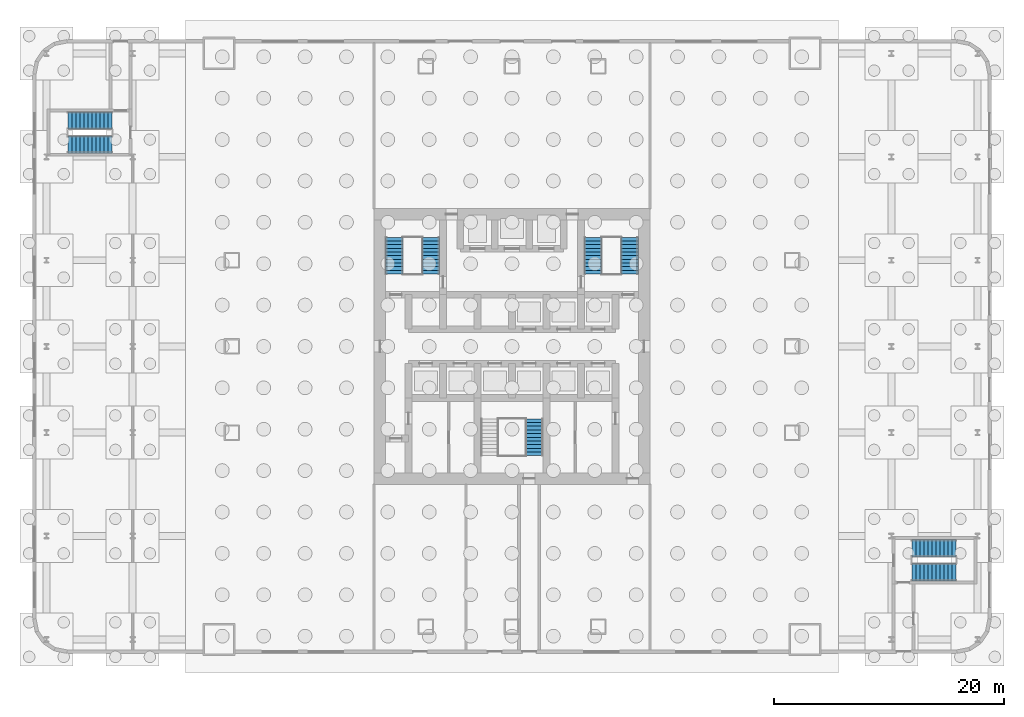
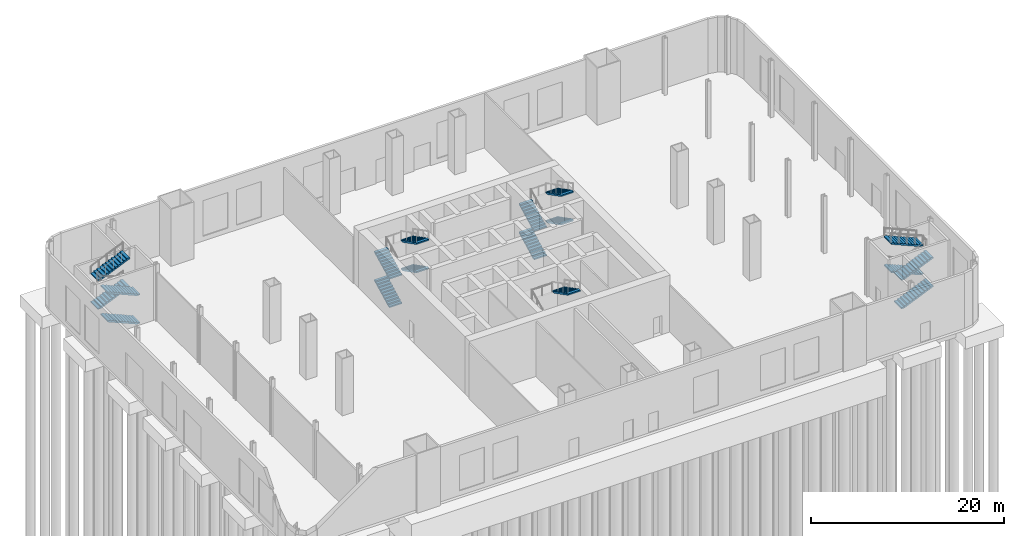
# One storey, part 7 of 10: 17 stair flights, 5 elements without a shape of their own.
"""IFC4 building model written with IfcOpenShell, lengths in metres."""

from ifc_helpers import new_model, si_unit, direction, frame, origin, place, context, subcontext, project, spatial, polyline, outline, extrude, material, type_object, element, aggregate, save


model = new_model("IFC4")

# Units and contexts
model_context = context("Model", 3, precision=1e-05, world=origin(), true_north=direction((0.0, 1.0)))
body_context = subcontext(model_context, "Body", "Model", "MODEL_VIEW")
ifc_project = project(units=[si_unit("LENGTHUNIT", "METRE"), si_unit("AREAUNIT", "SQUARE_METRE"), si_unit("VOLUMEUNIT", "CUBIC_METRE"), si_unit("PLANEANGLEUNIT", "RADIAN"), si_unit("MASSUNIT", "GRAM", prefix="KILO")], contexts=[model_context])

# Site, building, storey
site_placement = place(None, origin())
site = spatial("IfcSite", under=ifc_project, at=site_placement, CompositionType="ELEMENT")
building_placement = place(site_placement, origin())
building = spatial("IfcBuilding", under=site, at=building_placement, Name="Tarangal Relay Tower", CompositionType="ELEMENT")
storey_placement = place(building_placement, origin())
storey = spatial("IfcBuildingStorey", under=building, at=storey_placement, Name="L00", CompositionType="ELEMENT", Elevation=0.0)

# Stair, stair flights
ifc_material = material(Name="Steel ASTM A992 stair flight", Category="steel")
stair_type_1 = type_object("IfcStairType", Name="Core stair 1500", PredefinedType="HALF_TURN_STAIR", material=ifc_material)
stair_1_placement = place(storey_placement, origin())
stair_1 = element("IfcStair", 1, at=stair_1_placement, inside=storey, type_object=stair_type_1, Name="Stair ST-A L00", PredefinedType="HALF_TURN_STAIR")
stair_flight_type_1 = type_object("IfcStairFlightType", Name="Steel stair flight 1500, 11 risers 164 x 320", PredefinedType="STRAIGHT", material=ifc_material)
stair_flight_1_placement = place(storey_placement, frame((-10.25, 6.300048828125, 0.0), z_axis=(0.0, 0.0, 1.0), x_axis=(0.0, 1.0, 0.0)))
stair_flight_1 = element("IfcStairFlight", 2, at=stair_flight_1_placement, type_object=stair_flight_type_1, Name="ST-A flight 1", NumberOfRisers=11, NumberOfTreads=10, PredefinedType="STRAIGHT", RiserHeight=0.163636364, TreadLength=0.32, context=body_context, shape_type="SweptSolid", body=[
    extrude(outline(polyline([(0.0, 0.0), (0.0, 0.16357421875), (0.320068359375, 0.16357421875), (0.320068359375, 0.327392578125), (0.639892578125, 0.327392578125), (0.639892578125, 0.490966796875), (0.9599609375, 0.490966796875), (0.9599609375, 0.654541015625), (1.280029296875, 0.654541015625), (1.280029296875, 0.818115234375), (1.60009765625, 0.818115234375), (1.60009765625, 0.98193359375), (1.919921875, 0.98193359375), (1.919921875, 1.1455078125), (2.239990234375, 1.1455078125), (2.239990234375, 1.30908203125), (2.56005859375, 1.30908203125), (2.56005859375, 1.47265625), (2.8798828125, 1.47265625), (2.8798828125, 1.636474609375), (3.199951171875, 1.636474609375), (3.199951171875, 1.800048828125), (3.199951171875, 1.468017578125), (0.329345703125, 0.0), (0.0, 0.0)])), frame((0.0, 0.75, 0.0), z_axis=(0.0, -1.0, 0.0), x_axis=(1.0, 0.0, 0.0)), (0.0, 0.0, 1.0), 1.5),
])
stair_flight_2_placement = place(storey_placement, frame((-7.050048828125, 9.5, 1.800048828125), z_axis=(0.0, 0.0, 1.0), x_axis=(0.0, -1.0, 0.0)))
stair_flight_2 = element("IfcStairFlight", 3, at=stair_flight_2_placement, type_object=stair_flight_type_1, Name="ST-A flight 2", NumberOfRisers=11, NumberOfTreads=10, PredefinedType="STRAIGHT", RiserHeight=0.163636364, TreadLength=0.32, context=body_context, shape_type="SweptSolid", body=[
    extrude(outline(polyline([(0.0, 0.0), (0.0, 0.16357421875), (0.320068359375, 0.16357421875), (0.320068359375, 0.327392578125), (0.639892578125, 0.327392578125), (0.639892578125, 0.490966796875), (0.9599609375, 0.490966796875), (0.9599609375, 0.654541015625), (1.280029296875, 0.654541015625), (1.280029296875, 0.818115234375), (1.60009765625, 0.818115234375), (1.60009765625, 0.98193359375), (1.919921875, 0.98193359375), (1.919921875, 1.1455078125), (2.239990234375, 1.1455078125), (2.239990234375, 1.30908203125), (2.56005859375, 1.30908203125), (2.56005859375, 1.47265625), (2.8798828125, 1.47265625), (2.8798828125, 1.636474609375), (3.199951171875, 1.636474609375), (3.199951171875, 1.800048828125), (3.199951171875, 1.468017578125), (0.329345703125, 0.0), (0.0, 0.0)])), frame((0.0, 0.75, 0.0), z_axis=(0.0, -1.0, 0.0), x_axis=(1.0, 0.0, 0.0)), (0.0, 0.0, 1.0), 1.5),
])
stair_flight_3_placement = place(storey_placement, frame((-10.25, 6.300048828125, 3.60009765625), z_axis=(0.0, 0.0, 1.0), x_axis=(0.0, 1.0, 0.0)))
stair_flight_3 = element("IfcStairFlight", 4, at=stair_flight_3_placement, type_object=stair_flight_type_1, Name="ST-A flight 3", NumberOfRisers=11, NumberOfTreads=10, PredefinedType="STRAIGHT", RiserHeight=0.163636364, TreadLength=0.32, context=body_context, shape_type="SweptSolid", body=[
    extrude(outline(polyline([(0.0, 0.0), (0.0, 0.16357421875), (0.320068359375, 0.16357421875), (0.320068359375, 0.327392578125), (0.639892578125, 0.327392578125), (0.639892578125, 0.490966796875), (0.9599609375, 0.490966796875), (0.9599609375, 0.654541015625), (1.280029296875, 0.654541015625), (1.280029296875, 0.818115234375), (1.60009765625, 0.818115234375), (1.60009765625, 0.98193359375), (1.919921875, 0.98193359375), (1.919921875, 1.1455078125), (2.239990234375, 1.1455078125), (2.239990234375, 1.30908203125), (2.56005859375, 1.30908203125), (2.56005859375, 1.47265625), (2.8798828125, 1.47265625), (2.8798828125, 1.636474609375), (3.199951171875, 1.636474609375), (3.199951171875, 1.800048828125), (3.199951171875, 1.468017578125), (0.329345703125, 0.0), (0.0, 0.0)])), frame((0.0, 0.75, 0.0), z_axis=(0.0, -1.0, 0.0), x_axis=(1.0, 0.0, 0.0)), (0.0, 0.0, 1.0), 1.5),
])
stair_flight_4_placement = place(storey_placement, frame((-7.050048828125, 9.5, 5.39990234375), z_axis=(0.0, 0.0, 1.0), x_axis=(0.0, -1.0, 0.0)))
stair_flight_4 = element("IfcStairFlight", 5, at=stair_flight_4_placement, type_object=stair_flight_type_1, Name="ST-A flight 4", NumberOfRisers=11, NumberOfTreads=10, PredefinedType="STRAIGHT", RiserHeight=0.163636364, TreadLength=0.32, context=body_context, shape_type="SweptSolid", body=[
    extrude(outline(polyline([(0.0, 0.0), (0.0, 0.16357421875), (0.320068359375, 0.16357421875), (0.320068359375, 0.327392578125), (0.639892578125, 0.327392578125), (0.639892578125, 0.490966796875), (0.9599609375, 0.490966796875), (0.9599609375, 0.654541015625), (1.280029296875, 0.654541015625), (1.280029296875, 0.818115234375), (1.60009765625, 0.818115234375), (1.60009765625, 0.98193359375), (1.919921875, 0.98193359375), (1.919921875, 1.1455078125), (2.239990234375, 1.1455078125), (2.239990234375, 1.30908203125), (2.56005859375, 1.30908203125), (2.56005859375, 1.47265625), (2.8798828125, 1.47265625), (2.8798828125, 1.636474609375), (3.199951171875, 1.636474609375), (3.199951171875, 1.800048828125), (3.199951171875, 1.468017578125), (0.329345703125, 0.0), (0.0, 0.0)])), frame((0.0, 0.75, 0.0), z_axis=(0.0, -1.0, 0.0), x_axis=(1.0, 0.0, 0.0)), (0.0, 0.0, 1.0), 1.5),
])
aggregate(stair_1, [stair_flight_1, stair_flight_2, stair_flight_3, stair_flight_4])

stair_2_placement = place(storey_placement, origin())
stair_2 = element("IfcStair", 6, at=stair_2_placement, inside=storey, type_object=stair_type_1, Name="Stair ST-B L00", PredefinedType="HALF_TURN_STAIR")
stair_flight_5_placement = place(storey_placement, frame((7.050048828125, 6.300048828125, 0.0), z_axis=(0.0, 0.0, 1.0), x_axis=(0.0, 1.0, 0.0)))
stair_flight_5 = element("IfcStairFlight", 7, at=stair_flight_5_placement, type_object=stair_flight_type_1, Name="ST-B flight 1", NumberOfRisers=11, NumberOfTreads=10, PredefinedType="STRAIGHT", RiserHeight=0.163636364, TreadLength=0.32, context=body_context, shape_type="SweptSolid", body=[
    extrude(outline(polyline([(0.0, 0.0), (0.0, 0.16357421875), (0.320068359375, 0.16357421875), (0.320068359375, 0.327392578125), (0.639892578125, 0.327392578125), (0.639892578125, 0.490966796875), (0.9599609375, 0.490966796875), (0.9599609375, 0.654541015625), (1.280029296875, 0.654541015625), (1.280029296875, 0.818115234375), (1.60009765625, 0.818115234375), (1.60009765625, 0.98193359375), (1.919921875, 0.98193359375), (1.919921875, 1.1455078125), (2.239990234375, 1.1455078125), (2.239990234375, 1.30908203125), (2.56005859375, 1.30908203125), (2.56005859375, 1.47265625), (2.8798828125, 1.47265625), (2.8798828125, 1.636474609375), (3.199951171875, 1.636474609375), (3.199951171875, 1.800048828125), (3.199951171875, 1.468017578125), (0.329345703125, 0.0), (0.0, 0.0)])), frame((0.0, 0.75, 0.0), z_axis=(0.0, -1.0, 0.0), x_axis=(1.0, 0.0, 0.0)), (0.0, 0.0, 1.0), 1.5),
])
stair_flight_6_placement = place(storey_placement, frame((10.25, 9.5, 1.800048828125), z_axis=(0.0, 0.0, 1.0), x_axis=(0.0, -1.0, 0.0)))
stair_flight_6 = element("IfcStairFlight", 8, at=stair_flight_6_placement, type_object=stair_flight_type_1, Name="ST-B flight 2", NumberOfRisers=11, NumberOfTreads=10, PredefinedType="STRAIGHT", RiserHeight=0.163636364, TreadLength=0.32, context=body_context, shape_type="SweptSolid", body=[
    extrude(outline(polyline([(0.0, 0.0), (0.0, 0.16357421875), (0.320068359375, 0.16357421875), (0.320068359375, 0.327392578125), (0.639892578125, 0.327392578125), (0.639892578125, 0.490966796875), (0.9599609375, 0.490966796875), (0.9599609375, 0.654541015625), (1.280029296875, 0.654541015625), (1.280029296875, 0.818115234375), (1.60009765625, 0.818115234375), (1.60009765625, 0.98193359375), (1.919921875, 0.98193359375), (1.919921875, 1.1455078125), (2.239990234375, 1.1455078125), (2.239990234375, 1.30908203125), (2.56005859375, 1.30908203125), (2.56005859375, 1.47265625), (2.8798828125, 1.47265625), (2.8798828125, 1.636474609375), (3.199951171875, 1.636474609375), (3.199951171875, 1.800048828125), (3.199951171875, 1.468017578125), (0.329345703125, 0.0), (0.0, 0.0)])), frame((0.0, 0.75, 0.0), z_axis=(0.0, -1.0, 0.0), x_axis=(1.0, 0.0, 0.0)), (0.0, 0.0, 1.0), 1.5),
])
stair_flight_7_placement = place(storey_placement, frame((7.050048828125, 6.300048828125, 3.60009765625), z_axis=(0.0, 0.0, 1.0), x_axis=(0.0, 1.0, 0.0)))
stair_flight_7 = element("IfcStairFlight", 9, at=stair_flight_7_placement, type_object=stair_flight_type_1, Name="ST-B flight 3", NumberOfRisers=11, NumberOfTreads=10, PredefinedType="STRAIGHT", RiserHeight=0.163636364, TreadLength=0.32, context=body_context, shape_type="SweptSolid", body=[
    extrude(outline(polyline([(0.0, 0.0), (0.0, 0.16357421875), (0.320068359375, 0.16357421875), (0.320068359375, 0.327392578125), (0.639892578125, 0.327392578125), (0.639892578125, 0.490966796875), (0.9599609375, 0.490966796875), (0.9599609375, 0.654541015625), (1.280029296875, 0.654541015625), (1.280029296875, 0.818115234375), (1.60009765625, 0.818115234375), (1.60009765625, 0.98193359375), (1.919921875, 0.98193359375), (1.919921875, 1.1455078125), (2.239990234375, 1.1455078125), (2.239990234375, 1.30908203125), (2.56005859375, 1.30908203125), (2.56005859375, 1.47265625), (2.8798828125, 1.47265625), (2.8798828125, 1.636474609375), (3.199951171875, 1.636474609375), (3.199951171875, 1.800048828125), (3.199951171875, 1.468017578125), (0.329345703125, 0.0), (0.0, 0.0)])), frame((0.0, 0.75, 0.0), z_axis=(0.0, -1.0, 0.0), x_axis=(1.0, 0.0, 0.0)), (0.0, 0.0, 1.0), 1.5),
])
stair_flight_8_placement = place(storey_placement, frame((10.25, 9.5, 5.39990234375), z_axis=(0.0, 0.0, 1.0), x_axis=(0.0, -1.0, 0.0)))
stair_flight_8 = element("IfcStairFlight", 10, at=stair_flight_8_placement, type_object=stair_flight_type_1, Name="ST-B flight 4", NumberOfRisers=11, NumberOfTreads=10, PredefinedType="STRAIGHT", RiserHeight=0.163636364, TreadLength=0.32, context=body_context, shape_type="SweptSolid", body=[
    extrude(outline(polyline([(0.0, 0.0), (0.0, 0.16357421875), (0.320068359375, 0.16357421875), (0.320068359375, 0.327392578125), (0.639892578125, 0.327392578125), (0.639892578125, 0.490966796875), (0.9599609375, 0.490966796875), (0.9599609375, 0.654541015625), (1.280029296875, 0.654541015625), (1.280029296875, 0.818115234375), (1.60009765625, 0.818115234375), (1.60009765625, 0.98193359375), (1.919921875, 0.98193359375), (1.919921875, 1.1455078125), (2.239990234375, 1.1455078125), (2.239990234375, 1.30908203125), (2.56005859375, 1.30908203125), (2.56005859375, 1.47265625), (2.8798828125, 1.47265625), (2.8798828125, 1.636474609375), (3.199951171875, 1.636474609375), (3.199951171875, 1.800048828125), (3.199951171875, 1.468017578125), (0.329345703125, 0.0), (0.0, 0.0)])), frame((0.0, 0.75, 0.0), z_axis=(0.0, -1.0, 0.0), x_axis=(1.0, 0.0, 0.0)), (0.0, 0.0, 1.0), 1.5),
])
aggregate(stair_2, [stair_flight_5, stair_flight_6, stair_flight_7, stair_flight_8])

# Stair, stair flight
stair_3_placement = place(storey_placement, origin())
stair_3 = element("IfcStair", 11, at=stair_3_placement, inside=storey, type_object=stair_type_1, Name="Stair ST-C L00", PredefinedType="HALF_TURN_STAIR")
stair_flight_9_placement = place(storey_placement, frame((1.949951171875, -6.300048828125, 5.39990234375), z_axis=(0.0, 0.0, 1.0), x_axis=(0.0, -1.0, 0.0)))
stair_flight_9 = element("IfcStairFlight", 12, at=stair_flight_9_placement, type_object=stair_flight_type_1, Name="ST-C flight 4", NumberOfRisers=11, NumberOfTreads=10, PredefinedType="STRAIGHT", RiserHeight=0.163636364, TreadLength=0.32, context=body_context, shape_type="SweptSolid", body=[
    extrude(outline(polyline([(0.0, 0.0), (0.0, 0.16357421875), (0.320068359375, 0.16357421875), (0.320068359375, 0.327392578125), (0.639892578125, 0.327392578125), (0.639892578125, 0.490966796875), (0.9599609375, 0.490966796875), (0.9599609375, 0.654541015625), (1.280029296875, 0.654541015625), (1.280029296875, 0.818115234375), (1.60009765625, 0.818115234375), (1.60009765625, 0.98193359375), (1.919921875, 0.98193359375), (1.919921875, 1.1455078125), (2.239990234375, 1.1455078125), (2.239990234375, 1.30908203125), (2.56005859375, 1.30908203125), (2.56005859375, 1.47265625), (2.8798828125, 1.47265625), (2.8798828125, 1.636474609375), (3.199951171875, 1.636474609375), (3.199951171875, 1.800048828125), (3.199951171875, 1.468017578125), (0.329345703125, 0.0), (0.0, 0.0)])), frame((0.0, 0.75, 0.0), z_axis=(0.0, -1.0, 0.0), x_axis=(1.0, 0.0, 0.0)), (0.0, 0.0, 1.0), 1.5),
])
aggregate(stair_3, [stair_flight_9])

# Stair, stair flights
stair_type_2 = type_object("IfcStairType", Name="Podium stair 1500", PredefinedType="HALF_TURN_STAIR", material=ifc_material)
stair_4_placement = place(storey_placement, origin())
stair_4 = element("IfcStair", 13, at=stair_4_placement, inside=storey, type_object=stair_type_2, Name="Stair ST-D L00", PredefinedType="HALF_TURN_STAIR")
stair_flight_type_2 = type_object("IfcStairFlightType", Name="Steel stair flight 1500, 12 risers 150 x 348", PredefinedType="STRAIGHT", material=ifc_material)
stair_flight_10_placement = place(storey_placement, frame((-34.800048828125, 17.550048828125, 0.0), z_axis=(0.0, 0.0, 1.0), x_axis=(-1.0, 0.0, 0.0)))
stair_flight_10 = element("IfcStairFlight", 14, at=stair_flight_10_placement, type_object=stair_flight_type_2, Name="ST-D flight 1", NumberOfRisers=12, NumberOfTreads=11, PredefinedType="STRAIGHT", RiserHeight=0.15, TreadLength=0.348, context=body_context, shape_type="SweptSolid", body=[
    extrude(outline(polyline([(0.0, 0.0), (0.0, 0.14990234375), (0.347900390625, 0.14990234375), (0.347900390625, 0.300048828125), (0.696044921875, 0.300048828125), (0.696044921875, 0.449951171875), (1.0439453125, 0.449951171875), (1.0439453125, 0.60009765625), (1.39208984375, 0.60009765625), (1.39208984375, 0.75), (1.739990234375, 0.75), (1.739990234375, 0.89990234375), (2.087890625, 0.89990234375), (2.087890625, 1.050048828125), (2.43603515625, 1.050048828125), (2.43603515625, 1.199951171875), (2.783935546875, 1.199951171875), (2.783935546875, 1.35009765625), (3.132080078125, 1.35009765625), (3.132080078125, 1.5), (3.47998046875, 1.5), (3.47998046875, 1.64990234375), (3.827880859375, 1.64990234375), (3.827880859375, 1.800048828125), (3.827880859375, 1.48681640625), (0.378662109375, 0.0), (0.0, 0.0)])), frame((0.0, 0.75, 0.0), z_axis=(0.0, -1.0, 0.0), x_axis=(1.0, 0.0, 0.0)), (0.0, 0.0, 1.0), 1.5),
])
stair_flight_11_placement = place(storey_placement, frame((-38.6279296875, 19.64990234375, 1.800048828125), z_axis=(0.0, 0.0, 1.0), x_axis=(1.0, 0.0, 0.0)))
stair_flight_11 = element("IfcStairFlight", 15, at=stair_flight_11_placement, type_object=stair_flight_type_2, Name="ST-D flight 2", NumberOfRisers=12, NumberOfTreads=11, PredefinedType="STRAIGHT", RiserHeight=0.15, TreadLength=0.348, context=body_context, shape_type="SweptSolid", body=[
    extrude(outline(polyline([(0.0, 0.0), (0.0, 0.14990234375), (0.347900390625, 0.14990234375), (0.347900390625, 0.300048828125), (0.696044921875, 0.300048828125), (0.696044921875, 0.449951171875), (1.0439453125, 0.449951171875), (1.0439453125, 0.60009765625), (1.39208984375, 0.60009765625), (1.39208984375, 0.75), (1.739990234375, 0.75), (1.739990234375, 0.89990234375), (2.087890625, 0.89990234375), (2.087890625, 1.050048828125), (2.43603515625, 1.050048828125), (2.43603515625, 1.199951171875), (2.783935546875, 1.199951171875), (2.783935546875, 1.35009765625), (3.132080078125, 1.35009765625), (3.132080078125, 1.5), (3.47998046875, 1.5), (3.47998046875, 1.64990234375), (3.827880859375, 1.64990234375), (3.827880859375, 1.800048828125), (3.827880859375, 1.48681640625), (0.378662109375, 0.0), (0.0, 0.0)])), frame((0.0, 0.75, 0.0), z_axis=(0.0, -1.0, 0.0), x_axis=(1.0, 0.0, 0.0)), (0.0, 0.0, 1.0), 1.5),
])
stair_flight_12_placement = place(storey_placement, frame((-34.800048828125, 17.550048828125, 3.60009765625), z_axis=(0.0, 0.0, 1.0), x_axis=(-1.0, 0.0, 0.0)))
stair_flight_12 = element("IfcStairFlight", 16, at=stair_flight_12_placement, type_object=stair_flight_type_2, Name="ST-D flight 3", NumberOfRisers=12, NumberOfTreads=11, PredefinedType="STRAIGHT", RiserHeight=0.15, TreadLength=0.348, context=body_context, shape_type="SweptSolid", body=[
    extrude(outline(polyline([(0.0, 0.0), (0.0, 0.14990234375), (0.347900390625, 0.14990234375), (0.347900390625, 0.300048828125), (0.696044921875, 0.300048828125), (0.696044921875, 0.449951171875), (1.0439453125, 0.449951171875), (1.0439453125, 0.60009765625), (1.39208984375, 0.60009765625), (1.39208984375, 0.75), (1.739990234375, 0.75), (1.739990234375, 0.89990234375), (2.087890625, 0.89990234375), (2.087890625, 1.050048828125), (2.43603515625, 1.050048828125), (2.43603515625, 1.199951171875), (2.783935546875, 1.199951171875), (2.783935546875, 1.35009765625), (3.132080078125, 1.35009765625), (3.132080078125, 1.5), (3.47998046875, 1.5), (3.47998046875, 1.64990234375), (3.827880859375, 1.64990234375), (3.827880859375, 1.800048828125), (3.827880859375, 1.48681640625), (0.378662109375, 0.0), (0.0, 0.0)])), frame((0.0, 0.75, 0.0), z_axis=(0.0, -1.0, 0.0), x_axis=(1.0, 0.0, 0.0)), (0.0, 0.0, 1.0), 1.5),
])
stair_flight_13_placement = place(storey_placement, frame((-38.6279296875, 19.64990234375, 5.39990234375), z_axis=(0.0, 0.0, 1.0), x_axis=(1.0, 0.0, 0.0)))
stair_flight_13 = element("IfcStairFlight", 17, at=stair_flight_13_placement, type_object=stair_flight_type_2, Name="ST-D flight 4", NumberOfRisers=12, NumberOfTreads=11, PredefinedType="STRAIGHT", RiserHeight=0.15, TreadLength=0.348, context=body_context, shape_type="SweptSolid", body=[
    extrude(outline(polyline([(0.0, 0.0), (0.0, 0.14990234375), (0.347900390625, 0.14990234375), (0.347900390625, 0.300048828125), (0.696044921875, 0.300048828125), (0.696044921875, 0.449951171875), (1.0439453125, 0.449951171875), (1.0439453125, 0.60009765625), (1.39208984375, 0.60009765625), (1.39208984375, 0.75), (1.739990234375, 0.75), (1.739990234375, 0.89990234375), (2.087890625, 0.89990234375), (2.087890625, 1.050048828125), (2.43603515625, 1.050048828125), (2.43603515625, 1.199951171875), (2.783935546875, 1.199951171875), (2.783935546875, 1.35009765625), (3.132080078125, 1.35009765625), (3.132080078125, 1.5), (3.47998046875, 1.5), (3.47998046875, 1.64990234375), (3.827880859375, 1.64990234375), (3.827880859375, 1.800048828125), (3.827880859375, 1.48681640625), (0.378662109375, 0.0), (0.0, 0.0)])), frame((0.0, 0.75, 0.0), z_axis=(0.0, -1.0, 0.0), x_axis=(1.0, 0.0, 0.0)), (0.0, 0.0, 1.0), 1.5),
])
aggregate(stair_4, [stair_flight_10, stair_flight_11, stair_flight_12, stair_flight_13])

stair_5_placement = place(storey_placement, origin())
stair_5 = element("IfcStair", 18, at=stair_5_placement, inside=storey, type_object=stair_type_2, Name="Stair ST-E L00", PredefinedType="HALF_TURN_STAIR")
stair_flight_14_placement = place(storey_placement, frame((34.800048828125, -19.64990234375, 0.0), z_axis=(0.0, 0.0, 1.0), x_axis=(1.0, 0.0, 0.0)))
stair_flight_14 = element("IfcStairFlight", 19, at=stair_flight_14_placement, type_object=stair_flight_type_2, Name="ST-E flight 1", NumberOfRisers=12, NumberOfTreads=11, PredefinedType="STRAIGHT", RiserHeight=0.15, TreadLength=0.348, context=body_context, shape_type="SweptSolid", body=[
    extrude(outline(polyline([(0.0, 0.0), (0.0, 0.14990234375), (0.347900390625, 0.14990234375), (0.347900390625, 0.300048828125), (0.696044921875, 0.300048828125), (0.696044921875, 0.449951171875), (1.0439453125, 0.449951171875), (1.0439453125, 0.60009765625), (1.39208984375, 0.60009765625), (1.39208984375, 0.75), (1.739990234375, 0.75), (1.739990234375, 0.89990234375), (2.087890625, 0.89990234375), (2.087890625, 1.050048828125), (2.43603515625, 1.050048828125), (2.43603515625, 1.199951171875), (2.783935546875, 1.199951171875), (2.783935546875, 1.35009765625), (3.132080078125, 1.35009765625), (3.132080078125, 1.5), (3.47998046875, 1.5), (3.47998046875, 1.64990234375), (3.827880859375, 1.64990234375), (3.827880859375, 1.800048828125), (3.827880859375, 1.48681640625), (0.378662109375, 0.0), (0.0, 0.0)])), frame((0.0, 0.75, 0.0), z_axis=(0.0, -1.0, 0.0), x_axis=(1.0, 0.0, 0.0)), (0.0, 0.0, 1.0), 1.5),
])
stair_flight_15_placement = place(storey_placement, frame((38.6279296875, -17.550048828125, 1.800048828125), z_axis=(0.0, 0.0, 1.0), x_axis=(-1.0, 0.0, 0.0)))
stair_flight_15 = element("IfcStairFlight", 20, at=stair_flight_15_placement, type_object=stair_flight_type_2, Name="ST-E flight 2", NumberOfRisers=12, NumberOfTreads=11, PredefinedType="STRAIGHT", RiserHeight=0.15, TreadLength=0.348, context=body_context, shape_type="SweptSolid", body=[
    extrude(outline(polyline([(0.0, 0.0), (0.0, 0.14990234375), (0.347900390625, 0.14990234375), (0.347900390625, 0.300048828125), (0.696044921875, 0.300048828125), (0.696044921875, 0.449951171875), (1.0439453125, 0.449951171875), (1.0439453125, 0.60009765625), (1.39208984375, 0.60009765625), (1.39208984375, 0.75), (1.739990234375, 0.75), (1.739990234375, 0.89990234375), (2.087890625, 0.89990234375), (2.087890625, 1.050048828125), (2.43603515625, 1.050048828125), (2.43603515625, 1.199951171875), (2.783935546875, 1.199951171875), (2.783935546875, 1.35009765625), (3.132080078125, 1.35009765625), (3.132080078125, 1.5), (3.47998046875, 1.5), (3.47998046875, 1.64990234375), (3.827880859375, 1.64990234375), (3.827880859375, 1.800048828125), (3.827880859375, 1.48681640625), (0.378662109375, 0.0), (0.0, 0.0)])), frame((0.0, 0.75, 0.0), z_axis=(0.0, -1.0, 0.0), x_axis=(1.0, 0.0, 0.0)), (0.0, 0.0, 1.0), 1.5),
])
stair_flight_16_placement = place(storey_placement, frame((34.800048828125, -19.64990234375, 3.60009765625), z_axis=(0.0, 0.0, 1.0), x_axis=(1.0, 0.0, 0.0)))
stair_flight_16 = element("IfcStairFlight", 21, at=stair_flight_16_placement, type_object=stair_flight_type_2, Name="ST-E flight 3", NumberOfRisers=12, NumberOfTreads=11, PredefinedType="STRAIGHT", RiserHeight=0.15, TreadLength=0.348, context=body_context, shape_type="SweptSolid", body=[
    extrude(outline(polyline([(0.0, 0.0), (0.0, 0.14990234375), (0.347900390625, 0.14990234375), (0.347900390625, 0.300048828125), (0.696044921875, 0.300048828125), (0.696044921875, 0.449951171875), (1.0439453125, 0.449951171875), (1.0439453125, 0.60009765625), (1.39208984375, 0.60009765625), (1.39208984375, 0.75), (1.739990234375, 0.75), (1.739990234375, 0.89990234375), (2.087890625, 0.89990234375), (2.087890625, 1.050048828125), (2.43603515625, 1.050048828125), (2.43603515625, 1.199951171875), (2.783935546875, 1.199951171875), (2.783935546875, 1.35009765625), (3.132080078125, 1.35009765625), (3.132080078125, 1.5), (3.47998046875, 1.5), (3.47998046875, 1.64990234375), (3.827880859375, 1.64990234375), (3.827880859375, 1.800048828125), (3.827880859375, 1.48681640625), (0.378662109375, 0.0), (0.0, 0.0)])), frame((0.0, 0.75, 0.0), z_axis=(0.0, -1.0, 0.0), x_axis=(1.0, 0.0, 0.0)), (0.0, 0.0, 1.0), 1.5),
])
stair_flight_17_placement = place(storey_placement, frame((38.6279296875, -17.550048828125, 5.39990234375), z_axis=(0.0, 0.0, 1.0), x_axis=(-1.0, 0.0, 0.0)))
stair_flight_17 = element("IfcStairFlight", 22, at=stair_flight_17_placement, type_object=stair_flight_type_2, Name="ST-E flight 4", NumberOfRisers=12, NumberOfTreads=11, PredefinedType="STRAIGHT", RiserHeight=0.15, TreadLength=0.348, context=body_context, shape_type="SweptSolid", body=[
    extrude(outline(polyline([(0.0, 0.0), (0.0, 0.14990234375), (0.347900390625, 0.14990234375), (0.347900390625, 0.300048828125), (0.696044921875, 0.300048828125), (0.696044921875, 0.449951171875), (1.0439453125, 0.449951171875), (1.0439453125, 0.60009765625), (1.39208984375, 0.60009765625), (1.39208984375, 0.75), (1.739990234375, 0.75), (1.739990234375, 0.89990234375), (2.087890625, 0.89990234375), (2.087890625, 1.050048828125), (2.43603515625, 1.050048828125), (2.43603515625, 1.199951171875), (2.783935546875, 1.199951171875), (2.783935546875, 1.35009765625), (3.132080078125, 1.35009765625), (3.132080078125, 1.5), (3.47998046875, 1.5), (3.47998046875, 1.64990234375), (3.827880859375, 1.64990234375), (3.827880859375, 1.800048828125), (3.827880859375, 1.48681640625), (0.378662109375, 0.0), (0.0, 0.0)])), frame((0.0, 0.75, 0.0), z_axis=(0.0, -1.0, 0.0), x_axis=(1.0, 0.0, 0.0)), (0.0, 0.0, 1.0), 1.5),
])
aggregate(stair_5, [stair_flight_14, stair_flight_15, stair_flight_16, stair_flight_17])

save(model, "model.ifc")
